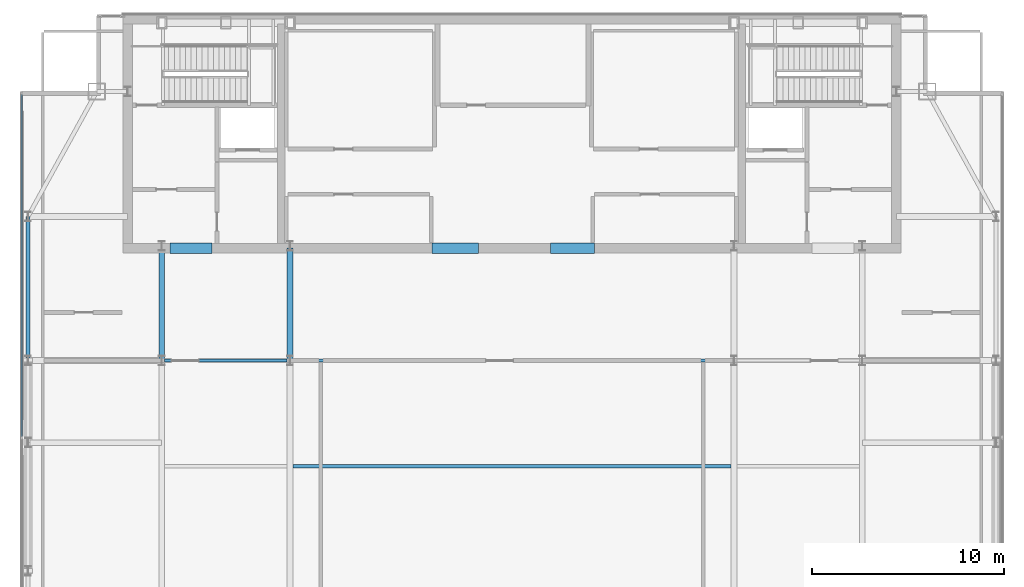
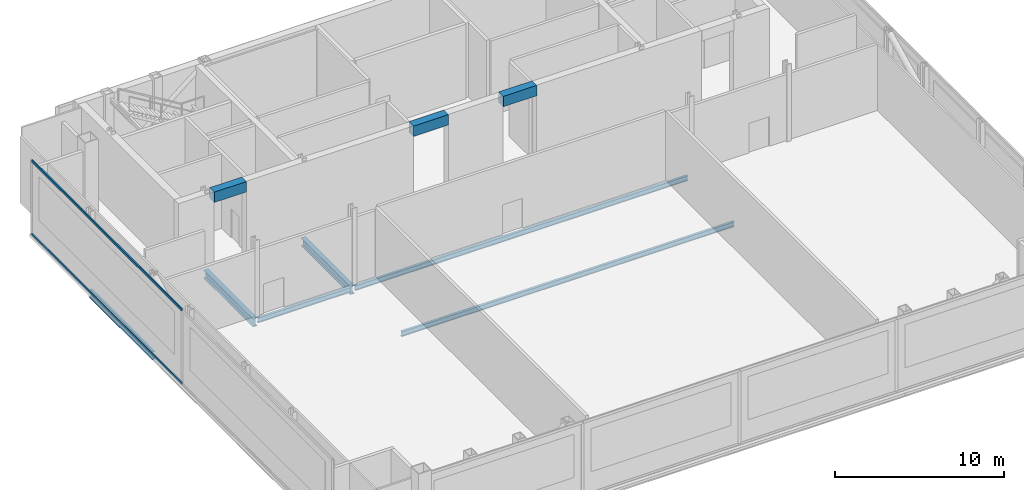
# One storey, part 9 of 22: 9 beams, 2 members, 1 element without a shape of its own.
"""IFC4 building model written with IfcOpenShell, lengths in metres."""

from ifc_helpers import new_model, si_unit, direction, frame, origin, origin_2d, place, context, subcontext, project, spatial, rectangle, hollow_rectangle, i_section, extrude, material, material_profile, profile_set, type_object, element, aggregate, save


model = new_model("IFC4")

# Units and contexts
model_context = context("Model", 3, precision=1e-05, world=origin(), true_north=direction((0.0, 1.0)))
body_context = subcontext(model_context, "Body", "Model", "MODEL_VIEW")
ifc_project = project(units=[si_unit("LENGTHUNIT", "METRE"), si_unit("AREAUNIT", "SQUARE_METRE"), si_unit("VOLUMEUNIT", "CUBIC_METRE"), si_unit("PLANEANGLEUNIT", "RADIAN"), si_unit("MASSUNIT", "GRAM", prefix="KILO")], contexts=[model_context])

# Site, building, storey
site_placement = place(None, origin())
site = spatial("IfcSite", under=ifc_project, at=site_placement, CompositionType="ELEMENT")
building_placement = place(site_placement, origin())
building = spatial("IfcBuilding", under=site, at=building_placement, Name="Khoronbel Lancet Exchange", CompositionType="ELEMENT")
storey_placement = place(building_placement, frame((0.0, 0.0, 367.39990234375)))
storey = spatial("IfcBuildingStorey", under=building, at=storey_placement, Name="L94", CompositionType="ELEMENT", Elevation=367.39990234375)

# Beams
ifc_material_1 = material(Name="Steel S355", Category="steel")
ifc_material_profile_1 = material_profile(ifc_material_1, i_section(OverallWidth=0.300048828125, OverallDepth=0.60009765625, WebThickness=0.015380859375, FlangeThickness=0.030029296875, at=origin_2d()), Name="HEB 600")
ifc_profile_set_1 = profile_set([ifc_material_profile_1], Name="Steel S355")
beam_type_1 = type_object("IfcBeamType", Name="BM-BG5", PredefinedType="BEAM", material=ifc_profile_set_1)
for number, where, z_axis, x_axis, name in (
    (1, (18.22509765625, 35.699951171875, -0.5), (0.0, 1.0, 0.0), (-1.0, 0.0, 0.0), "Level L94 spine tie girder GN1"),
    (2, (24.89990234375, 35.699951171875, -0.5), (0.0, 1.0, 0.0), (-1.0, 0.0, 0.0), "Level L94 spine tie girder GN2"),
):
    element("IfcBeam", number, at=place(storey_placement, frame(where, z_axis=z_axis, x_axis=x_axis)), inside=storey, type_object=beam_type_1, Name=name, PredefinedType="BEAM", context=body_context, shape_type="SweptSolid", body=[
        extrude(i_section(OverallWidth=0.300048828125, OverallDepth=0.60009765625, WebThickness=0.015380859375, FlangeThickness=0.030029296875, at=origin_2d()), origin(), (0.0, 0.0, 1.0), 5.85009765625),
    ])
ifc_material_profile_2 = material_profile(ifc_material_1, i_section(OverallWidth=0.169921875, OverallDepth=0.360107421875, WebThickness=0.008056640625, FlangeThickness=0.0126953125, at=origin_2d()), Name="IPE 360")
ifc_profile_set_2 = profile_set([ifc_material_profile_2], Name="Steel S355")
beam_type_2 = type_object("IfcBeamType", Name="BM-BJ6", PredefinedType="JOIST", material=ifc_profile_set_2)
beam_1_placement = place(storey_placement, frame((25.050048828125, 30.199951171875, -0.3798828125), z_axis=(1.0, 0.0, 0.0), x_axis=(0.0, 1.0, 0.0)))
element("IfcBeam", 3, at=beam_1_placement, inside=storey, type_object=beam_type_2, Name="Level L94 secondary composite joist J08", PredefinedType="JOIST", context=body_context, shape_type="SweptSolid", body=[
    extrude(i_section(OverallWidth=0.169921875, OverallDepth=0.360107421875, WebThickness=0.008056640625, FlangeThickness=0.0126953125, at=origin_2d()), origin(), (0.0, 0.0, 1.0), 22.800048828125),
])
beam_2_placement = place(storey_placement, frame((18.375, 35.699951171875, -0.3798828125), z_axis=(1.0, 0.0, 0.0), x_axis=(0.0, 1.0, 0.0)))
element("IfcBeam", 4, at=beam_2_placement, inside=storey, type_object=beam_type_2, Name="Level L94 secondary composite joist J10", PredefinedType="JOIST", context=body_context, shape_type="SweptSolid", body=[
    extrude(i_section(OverallWidth=0.169921875, OverallDepth=0.360107421875, WebThickness=0.008056640625, FlangeThickness=0.0126953125, at=origin_2d()), origin(), (0.0, 0.0, 1.0), 6.375),
])
beam_3_placement = place(storey_placement, frame((25.050048828125, 35.699951171875, -0.3798828125), z_axis=(1.0, 0.0, 0.0), x_axis=(0.0, 1.0, 0.0)))
element("IfcBeam", 5, at=beam_3_placement, inside=storey, type_object=beam_type_2, Name="Level L94 secondary composite joist J11", PredefinedType="JOIST", context=body_context, shape_type="SweptSolid", body=[
    extrude(i_section(OverallWidth=0.169921875, OverallDepth=0.360107421875, WebThickness=0.008056640625, FlangeThickness=0.0126953125, at=origin_2d()), origin(), (0.0, 0.0, 1.0), 22.800048828125),
])
ifc_material_2 = material(Name="Concrete C60/75", Category="concrete")
ifc_material_profile_3 = material_profile(ifc_material_2, rectangle(XDim=0.550048828125, YDim=0.75, at=origin_2d()), Name="RC 550x750")
ifc_profile_set_3 = profile_set([ifc_material_profile_3], Name="Concrete C60/75")
beam_type_3 = type_object("IfcBeamType", Name="BM-BL2", PredefinedType="LINTEL", material=ifc_profile_set_3)
beam_4_placement = place(storey_placement, frame((18.64990234375, 41.550048828125, 5.025146484375), z_axis=(1.0, 0.0, 0.0), x_axis=(0.0, 1.0, 0.0)))
element("IfcBeam", 6, at=beam_4_placement, inside=storey, type_object=beam_type_3, Name="Level L94 rear core coupling lintel L1", PredefinedType="LINTEL", context=body_context, shape_type="SweptSolid", body=[
    extrude(rectangle(XDim=0.550048828125, YDim=0.75, at=origin_2d()), origin(), (0.0, 0.0, 1.0), 2.2001953125),
])
beam_5_placement = place(storey_placement, frame((32.300048828125, 41.550048828125, 5.025146484375), z_axis=(1.0, 0.0, 0.0), x_axis=(0.0, 1.0, 0.0)))
element("IfcBeam", 7, at=beam_5_placement, inside=storey, type_object=beam_type_3, Name="Level L94 rear core coupling lintel L2", PredefinedType="LINTEL", context=body_context, shape_type="SweptSolid", body=[
    extrude(rectangle(XDim=0.550048828125, YDim=0.75, at=origin_2d()), origin(), (0.0, 0.0, 1.0), 2.39990234375),
])
beam_6_placement = place(storey_placement, frame((38.449951171875, 41.550048828125, 5.025146484375), z_axis=(1.0, 0.0, 0.0), x_axis=(0.0, 1.0, 0.0)))
element("IfcBeam", 8, at=beam_6_placement, inside=storey, type_object=beam_type_3, Name="Level L94 rear core coupling lintel L3", PredefinedType="LINTEL", context=body_context, shape_type="SweptSolid", body=[
    extrude(rectangle(XDim=0.550048828125, YDim=0.75, at=origin_2d()), origin(), (0.0, 0.0, 1.0), 2.300048828125),
])
ifc_material_profile_4 = material_profile(ifc_material_1, i_section(OverallWidth=0.2099609375, OverallDepth=0.550048828125, WebThickness=0.010986328125, FlangeThickness=0.01708984375, at=origin_2d()), Name="IPE 550")
ifc_profile_set_4 = profile_set([ifc_material_profile_4], Name="Steel S355")
beam_type_4 = type_object("IfcBeamType", Name="BM-BSP3", PredefinedType="SPANDREL", material=ifc_profile_set_4)
beam_7_placement = place(storey_placement, frame((11.27001953125, 43.199951171875, -0.474853515625), z_axis=(0.0, -1.0, 0.0), x_axis=(1.0, 0.0, 0.0)))
element("IfcBeam", 9, at=beam_7_placement, inside=storey, type_object=beam_type_4, Name="Level L94 perimeter spandrel beam SP15", PredefinedType="SPANDREL", context=body_context, shape_type="SweptSolid", body=[
    extrude(i_section(OverallWidth=0.2099609375, OverallDepth=0.550048828125, WebThickness=0.010986328125, FlangeThickness=0.01708984375, at=origin_2d()), origin(), (0.0, 0.0, 1.0), 7.5),
])

# Curtain wall, members
ifc_material_3 = material(Name="Low-E Solar Control Insulating Glass", Category="glass")
curtain_wall_type = type_object("IfcCurtainWallType", Name="CW-6", PredefinedType="NOTDEFINED", material=ifc_material_3)
curtain_wall_placement = place(storey_placement, origin())
curtain_wall = element("IfcCurtainWall", 10, at=curtain_wall_placement, inside=storey, type_object=curtain_wall_type, Name="Unitised curtain wall CW-L94-E03", PredefinedType="NOTDEFINED")
ifc_material_4 = material(Name="Bronze-Anodised Aluminium 6063-T6", Category="aluminium")
ifc_material_profile_5 = material_profile(ifc_material_4, hollow_rectangle(XDim=0.0849609375, YDim=0.179931640625, WallThickness=0.0048828125, at=origin_2d()), Name="ALU TRANSOM 85x180")
ifc_profile_set_5 = profile_set([ifc_material_profile_5], Name="Bronze-Anodised Aluminium 6063-T6")
member_type = type_object("IfcMemberType", Name="MEM-CWT1", PredefinedType="USERDEFINED", material=ifc_profile_set_5)
member_1_placement = place(storey_placement, frame((10.93994140625, 31.737548828125, 0.04248046875), z_axis=(0.0, 1.0, 0.0), x_axis=(-1.0, 0.0, 0.0)))
member_1 = element("IfcMember", 11, at=member_1_placement, type_object=member_type, Name="CW6 transom 2.1", ObjectType="TRANSOM", PredefinedType="USERDEFINED", context=body_context, shape_type="SweptSolid", body=[
    extrude(hollow_rectangle(XDim=0.0849609375, YDim=0.179931640625, WallThickness=0.0048828125, at=origin_2d()), origin(), (0.0, 0.0, 1.0), 17.79736328125),
])
member_2_placement = place(storey_placement, frame((10.93994140625, 31.737548828125, 5.357666015625), z_axis=(0.0, 1.0, 0.0), x_axis=(-1.0, 0.0, 0.0)))
member_2 = element("IfcMember", 12, at=member_2_placement, type_object=member_type, Name="CW6 transom 2.2", ObjectType="TRANSOM", PredefinedType="USERDEFINED", context=body_context, shape_type="SweptSolid", body=[
    extrude(hollow_rectangle(XDim=0.0849609375, YDim=0.179931640625, WallThickness=0.0048828125, at=origin_2d()), origin(), (0.0, 0.0, 1.0), 17.79736328125),
])
aggregate(curtain_wall, [member_1, member_2])

save(model, "model.ifc")
